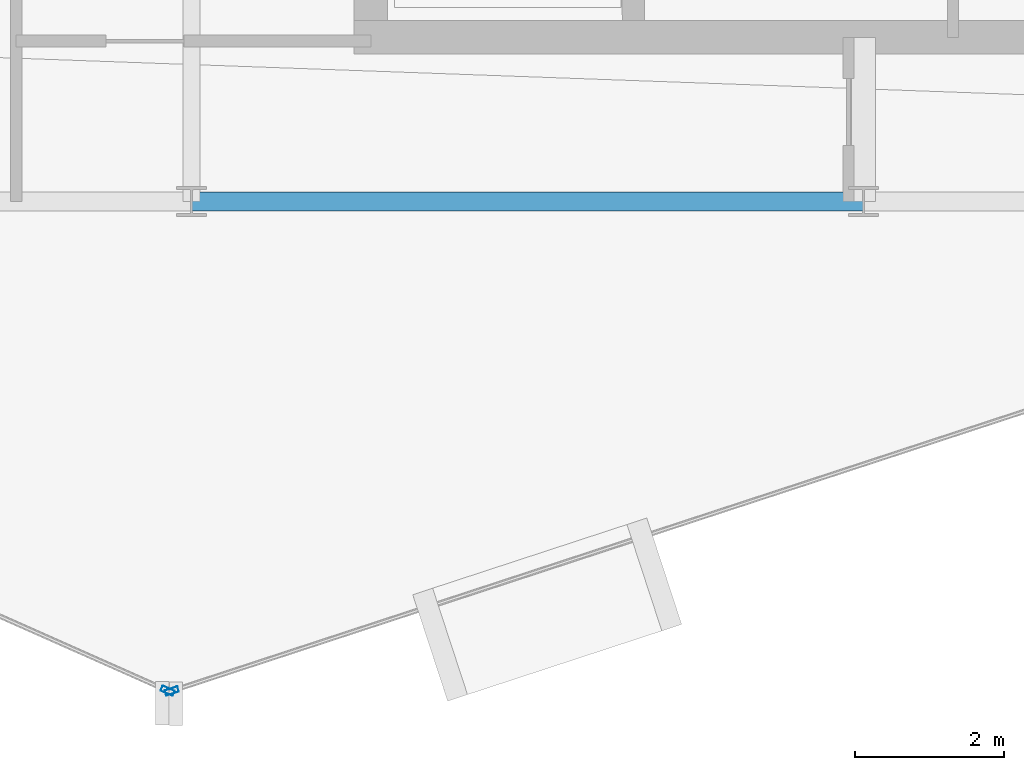
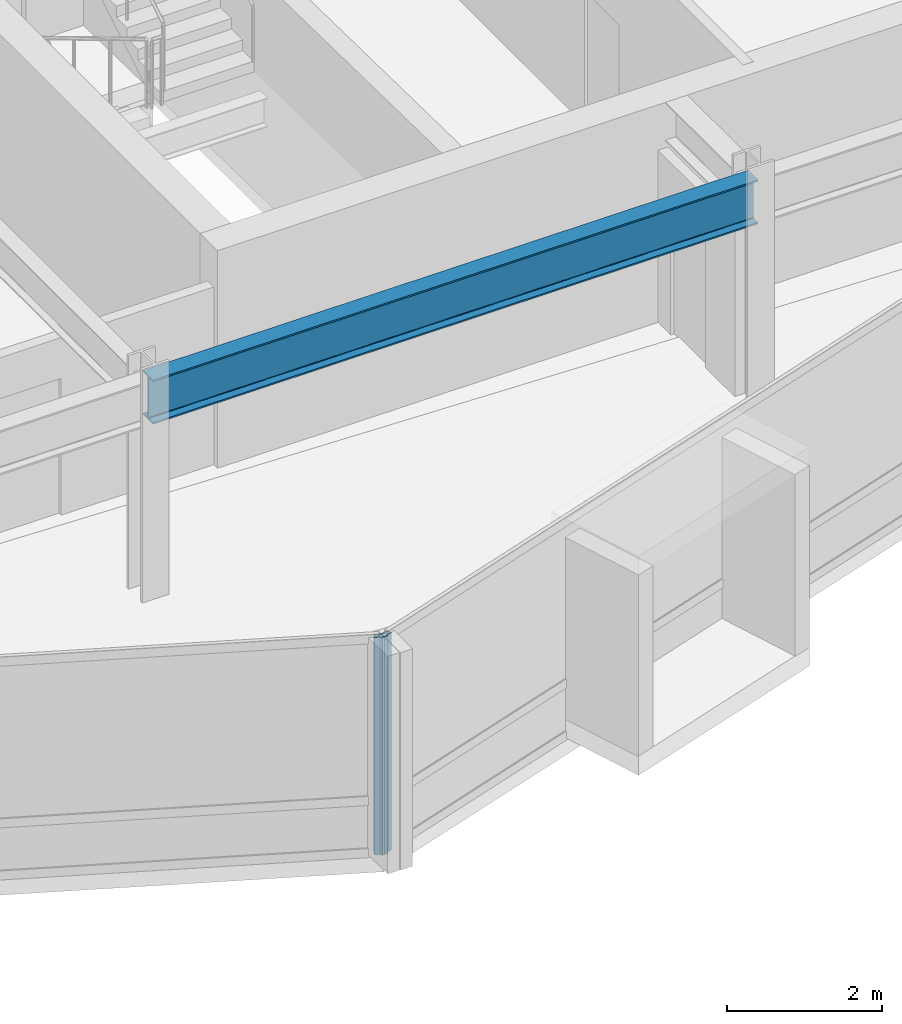
# One storey, part 4 of 27: 2 members, 1 beam, 2 elements without a shape of their own.
"""IFC4 building model written with IfcOpenShell, lengths in metres."""

from ifc_helpers import new_model, si_unit, direction, frame, origin, origin_2d, place, context, subcontext, project, spatial, hollow_rectangle, i_section, extrude, material, layer, layer_set, material_profile, profile_set, type_object, element, aggregate, save


model = new_model("IFC4")

# Units and contexts
model_context = context("Model", 3, precision=1e-05, world=origin(), true_north=direction((0.0, 1.0)))
body_context = subcontext(model_context, "Body", "Model", "MODEL_VIEW")
ifc_project = project(units=[si_unit("LENGTHUNIT", "METRE"), si_unit("AREAUNIT", "SQUARE_METRE"), si_unit("VOLUMEUNIT", "CUBIC_METRE"), si_unit("PLANEANGLEUNIT", "RADIAN"), si_unit("MASSUNIT", "GRAM", prefix="KILO")], contexts=[model_context])

# Site, building, storey
site_placement = place(None, origin())
site = spatial("IfcSite", under=ifc_project, at=site_placement, CompositionType="ELEMENT")
building_placement = place(site_placement, origin())
building = spatial("IfcBuilding", under=site, at=building_placement, Name="Solvaryn Broadcast Tower", CompositionType="ELEMENT")
storey_placement = place(building_placement, frame((0.0, 0.0, 224.699951171875)))
storey = spatial("IfcBuildingStorey", under=building, at=storey_placement, Name="L56", CompositionType="ELEMENT", Elevation=224.699951171875)

# Beam
ifc_material_1 = material(Name="Steel ASTM A992 Grade 50", Category="steel")
ifc_material_profile_1 = material_profile(ifc_material_1, i_section(OverallWidth=0.256103515625, OverallDepth=0.693115234375, WebThickness=0.014404296875, FlangeThickness=0.023681640625, FilletRadius=0.01611328125, at=origin_2d()))
ifc_profile_set_1 = profile_set([ifc_material_profile_1], Name="Steel ASTM A992 Grade 50")
beam_type = type_object("IfcBeamType", Name="BM-SP3-W27X114", PredefinedType="USERDEFINED", material=ifc_profile_set_1)
beam_placement = place(storey_placement, frame((27.0, 9.0, 3.073486328125), z_axis=(1.0, 0.0, 0.0), x_axis=(0.0, 1.0, 0.0)))
element("IfcBeam", 1, at=beam_placement, inside=storey, type_object=beam_type, Name="L56 Spandrel Beam X (27-36 @ Y=9)", ObjectType="SPANDREL", PredefinedType="USERDEFINED", context=body_context, shape_type="SweptSolid", body=[
    extrude(i_section(OverallWidth=0.256103515625, OverallDepth=0.693115234375, WebThickness=0.014404296875, FlangeThickness=0.023681640625, FilletRadius=0.01611328125, at=origin_2d()), origin(), (0.0, 0.0, 1.0), 9.0),
])

# Curtain wall, member
ifc_material_2 = material(Name="Aluminium and Terracotta Unitised Curtain Wall", Category="masonry")
ifc_layer = layer(ifc_material_2, 0.199951171875)
ifc_layer_set = layer_set([ifc_layer], Name="CW-SYS2-LOWMID")
curtain_wall_type = type_object("IfcCurtainWallType", Name="CW-SYS2-LOWMID", PredefinedType="NOTDEFINED", material=ifc_layer_set)
curtain_wall_1_placement = place(storey_placement, origin())
curtain_wall_1 = element("IfcCurtainWall", 2, at=curtain_wall_1_placement, inside=storey, type_object=curtain_wall_type, Name="L56 Curtain Wall DR3", PredefinedType="NOTDEFINED")
ifc_material_3 = material(Name="Anodised Aluminium 6063-T6", Category="aluminium")
ifc_material_profile_2 = material_profile(ifc_material_3, hollow_rectangle(XDim=0.074951171875, YDim=0.179931640625, WallThickness=0.00390625, InnerFilletRadius=0.00390625, OuterFilletRadius=0.008056640625, at=origin_2d()))
ifc_profile_set_2 = profile_set([ifc_material_profile_2], Name="Anodised Aluminium 6063-T6")
member_type = type_object("IfcMemberType", Name="CW-MUL-180", PredefinedType="MULLION", material=ifc_profile_set_2)
member_1_placement = place(storey_placement, frame((26.678466796875, 2.445068359375, 0.0), z_axis=(0.0, 0.0, 1.0), x_axis=(0.405901337237, 0.913916902365, 0.0)))
member_1 = element("IfcMember", 3, at=member_1_placement, type_object=member_type, Name="CWS2 mullion 2", PredefinedType="MULLION", context=body_context, shape_type="SweptSolid", body=[
    extrude(hollow_rectangle(XDim=0.074951171875, YDim=0.179931640625, WallThickness=0.00390625, InnerFilletRadius=0.00390625, OuterFilletRadius=0.008056640625, at=origin_2d()), origin(), (0.0, 0.0, 1.0), 3.420166015625),
])
aggregate(curtain_wall_1, [member_1])

curtain_wall_2_placement = place(storey_placement, origin())
curtain_wall_2 = element("IfcCurtainWall", 4, at=curtain_wall_2_placement, inside=storey, type_object=curtain_wall_type, Name="L56 Curtain Wall DR4", PredefinedType="NOTDEFINED")
member_2_placement = place(storey_placement, frame((26.734619140625, 2.4423828125, 0.0), z_axis=(0.0, 0.0, 1.0), x_axis=(-0.311558717623, 0.950226902099, 0.0)))
member_2 = element("IfcMember", 5, at=member_2_placement, type_object=member_type, Name="CWS2 mullion 1", PredefinedType="MULLION", context=body_context, shape_type="SweptSolid", body=[
    extrude(hollow_rectangle(XDim=0.074951171875, YDim=0.179931640625, WallThickness=0.00390625, InnerFilletRadius=0.00390625, OuterFilletRadius=0.008056640625, at=origin_2d()), origin(), (0.0, 0.0, 1.0), 3.420166015625),
])
aggregate(curtain_wall_2, [member_2])

save(model, "model.ifc")
